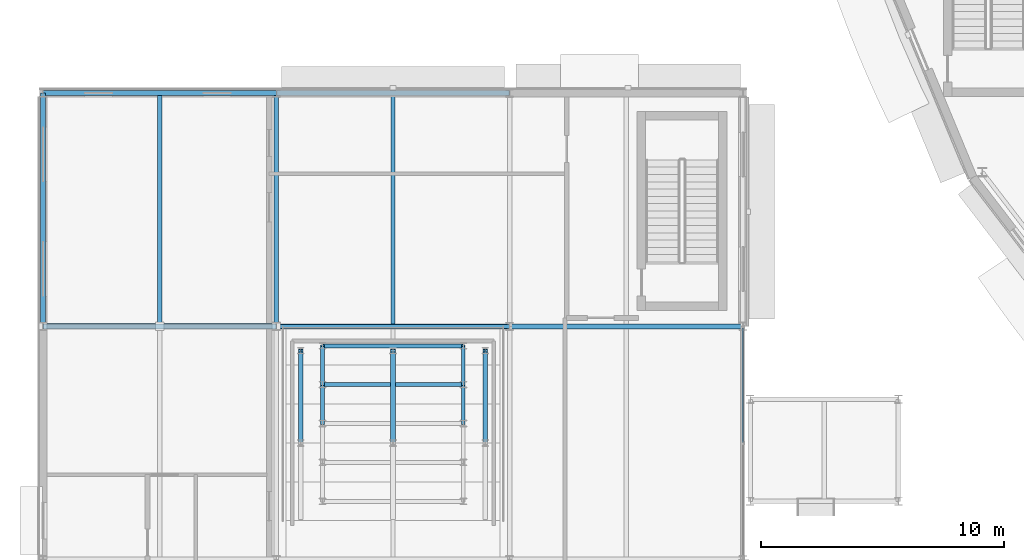
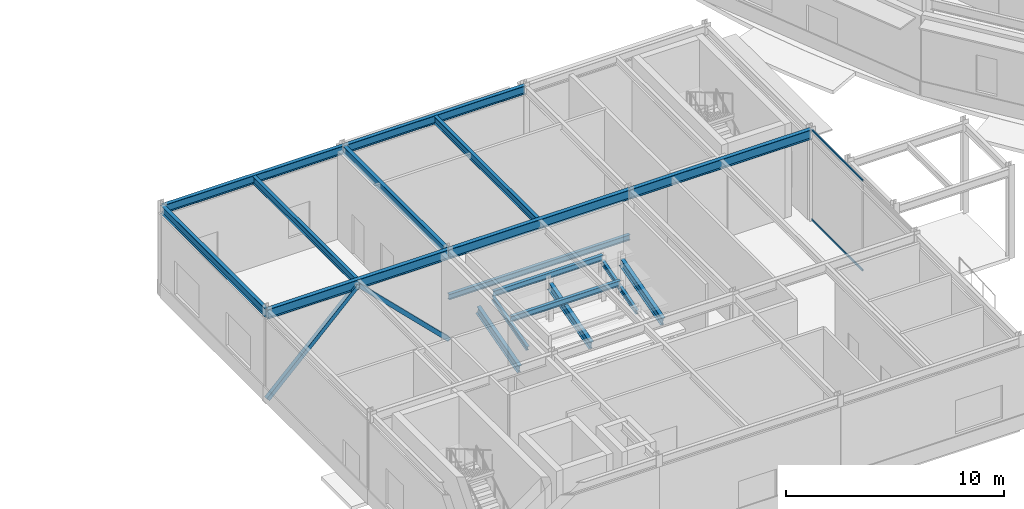
# One storey, part 23 of 168: 19 beams, 4 members, 1 element without a shape of its own.
"""IFC4 building model written with IfcOpenShell, lengths in metres."""

from ifc_helpers import new_model, si_unit, direction, frame, origin, origin_2d, place, context, subcontext, project, spatial, hollow_rectangle, i_section, extrude, material, material_profile, profile_set, type_object, element, aggregate, save


model = new_model("IFC4")

# Units and contexts
model_context = context("Model", 3, precision=1e-05, world=origin(), true_north=direction((0.0, 1.0)))
body_context = subcontext(model_context, "Body", "Model", "MODEL_VIEW")
ifc_project = project(units=[si_unit("LENGTHUNIT", "METRE"), si_unit("AREAUNIT", "SQUARE_METRE"), si_unit("VOLUMEUNIT", "CUBIC_METRE"), si_unit("PLANEANGLEUNIT", "RADIAN"), si_unit("MASSUNIT", "GRAM", prefix="KILO")], contexts=[model_context])

# Site, building, storey
site_placement = place(None, origin())
site = spatial("IfcSite", under=ifc_project, at=site_placement, CompositionType="ELEMENT")
building_placement = place(site_placement, origin())
building = spatial("IfcBuilding", under=site, at=building_placement, Name="Almandine Court Research Institute", CompositionType="ELEMENT")
storey_placement = place(building_placement, origin())
storey = spatial("IfcBuildingStorey", under=building, at=storey_placement, Name="L00", CompositionType="ELEMENT", Elevation=0.0)

# Beams
ifc_material_1 = material(Name="Steel ASTM A992 Grade 50", Category="steel")
ifc_material_profile_1 = material_profile(ifc_material_1, i_section(OverallWidth=0.18994140625, OverallDepth=0.45703125, WebThickness=0.009033203125, FlangeThickness=0.014892578125, at=origin_2d()), Name="W460x74")
ifc_profile_set_1 = profile_set([ifc_material_profile_1], Name="Steel ASTM A992 Grade 50")
beam_type_1 = type_object("IfcBeamType", Name="Beam-B-01", PredefinedType="BEAM", material=ifc_profile_set_1)
beam_1_placement = place(storey_placement, frame((15.60009765625, 25.199951171875, 4.841064453125), z_axis=(0.0, 1.0, 0.0), x_axis=(-1.0, 0.0, 0.0)))
element("IfcBeam", 1, at=beam_1_placement, inside=storey, type_object=beam_type_1, Name="L00 V1 Primary Y Girder", PredefinedType="BEAM", context=body_context, shape_type="SweptSolid", body=[
    extrude(i_section(OverallWidth=0.18994140625, OverallDepth=0.45703125, WebThickness=0.009033203125, FlangeThickness=0.014892578125, at=origin_2d()), origin(), (0.0, 0.0, 1.0), 9.60009765625),
])
ifc_material_profile_2 = material_profile(ifc_material_1, i_section(OverallWidth=0.178955078125, OverallDepth=0.409912109375, WebThickness=0.009033203125, FlangeThickness=0.013916015625, at=origin_2d()), Name="W410x67")
ifc_profile_set_2 = profile_set([ifc_material_profile_2], Name="Steel ASTM A992 Grade 50")
beam_type_2 = type_object("IfcBeamType", Name="Beam-B-02", PredefinedType="JOIST", material=ifc_profile_set_2)
for number, where, z_axis, x_axis, name in (
    (2, (10.800048828125, 25.302978515625, 4.864990234375), (0.0, 1.0, 0.0), (-1.0, 0.0, 0.0), "L00 V1 Composite Secondary Beam"),
    (3, (20.39990234375, 25.302978515625, 4.864990234375), (0.0, 1.0, 0.0), (-1.0, 0.0, 0.0), "L00 V1 Composite Secondary Beam"),
):
    element("IfcBeam", number, at=place(storey_placement, frame(where, z_axis=z_axis, x_axis=x_axis)), inside=storey, type_object=beam_type_2, Name=name, PredefinedType="JOIST", context=body_context, shape_type="SweptSolid", body=[
        extrude(i_section(OverallWidth=0.178955078125, OverallDepth=0.409912109375, WebThickness=0.009033203125, FlangeThickness=0.013916015625, at=origin_2d()), origin(), (0.0, 0.0, 1.0), 9.403076171875),
    ])
ifc_material_profile_3 = material_profile(ifc_material_1, i_section(OverallWidth=0.166015625, OverallDepth=0.31298828125, WebThickness=0.007080078125, FlangeThickness=0.010986328125, at=origin_2d()), Name="W310x45")
ifc_profile_set_3 = profile_set([ifc_material_profile_3], Name="Steel ASTM A992 Grade 50")
beam_type_3 = type_object("IfcBeamType", Name="Beam-B-04", PredefinedType="BEAM", material=ifc_profile_set_3)
for number, where, z_axis, x_axis, name in (
    (4, (17.5, 22.800048828125, 1.93310546875), (1.0, 0.0, 0.0), (0.0, 1.0, 0.0), "L00 Lecture Seating Tier Bearer 5"),
    (5, (17.5, 24.39990234375, 2.384033203125), (1.0, 0.0, 0.0), (0.0, 1.0, 0.0), "L00 Lecture Seating Tier Bearer 6"),
):
    element("IfcBeam", number, at=place(storey_placement, frame(where, z_axis=z_axis, x_axis=x_axis)), inside=storey, type_object=beam_type_3, Name=name, PredefinedType="BEAM", context=body_context, shape_type="SweptSolid", body=[
        extrude(i_section(OverallWidth=0.166015625, OverallDepth=0.31298828125, WebThickness=0.007080078125, FlangeThickness=0.010986328125, at=origin_2d()), origin(), (0.0, 0.0, 1.0), 5.800048828125),
    ])
beam_2_placement = place(storey_placement, frame((15.60009765625, 25.199951171875, 2.384033203125), z_axis=(1.0, 0.0, 0.0), x_axis=(0.0, 1.0, 0.0)))
element("IfcBeam", 6, at=beam_2_placement, inside=storey, type_object=beam_type_3, Name="L00 Lecture Seating Tier 6 Rear Bearer", PredefinedType="BEAM", context=body_context, shape_type="SweptSolid", body=[
    extrude(i_section(OverallWidth=0.166015625, OverallDepth=0.31298828125, WebThickness=0.007080078125, FlangeThickness=0.010986328125, at=origin_2d()), origin(), (0.0, 0.0, 1.0), 9.599853515625),
])
ifc_material_profile_4 = material_profile(ifc_material_1, i_section(OverallWidth=0.2109375, OverallDepth=0.5390625, WebThickness=0.011962890625, FlangeThickness=0.01904296875, at=origin_2d()), Name="W530x109")
ifc_profile_set_4 = profile_set([ifc_material_profile_4], Name="Steel ASTM A992 Grade 50")
beam_type_4 = type_object("IfcBeamType", Name="Beam-G-04", PredefinedType="BEAM", material=ifc_profile_set_4)
beam_3_placement = place(storey_placement, frame((6.0, 25.199951171875, 4.801025390625), z_axis=(1.0, 0.0, 0.0), x_axis=(0.0, 1.0, 0.0)))
element("IfcBeam", 7, at=beam_3_placement, inside=storey, type_object=beam_type_4, Name="L00 V1 Primary X Girder", PredefinedType="BEAM", context=body_context, shape_type="SweptSolid", body=[
    extrude(i_section(OverallWidth=0.2109375, OverallDepth=0.5390625, WebThickness=0.011962890625, FlangeThickness=0.01904296875, at=origin_2d()), origin(), (0.0, 0.0, 1.0), 9.60009765625),
])
beam_4_placement = place(storey_placement, frame((15.60009765625, 25.199951171875, 4.801025390625), z_axis=(1.0, 0.0, 0.0), x_axis=(0.0, 1.0, 0.0)))
element("IfcBeam", 8, at=beam_4_placement, inside=storey, type_object=beam_type_4, Name="L00 V1 Primary X Girder", PredefinedType="BEAM", context=body_context, shape_type="SweptSolid", body=[
    extrude(i_section(OverallWidth=0.2109375, OverallDepth=0.5390625, WebThickness=0.011962890625, FlangeThickness=0.01904296875, at=origin_2d()), origin(), (0.0, 0.0, 1.0), 9.599853515625),
])
beam_5_placement = place(storey_placement, frame((25.199951171875, 25.199951171875, 4.801025390625), z_axis=(1.0, 0.0, 0.0), x_axis=(0.0, 1.0, 0.0)))
element("IfcBeam", 9, at=beam_5_placement, inside=storey, type_object=beam_type_4, Name="L00 V1 Primary X Girder", PredefinedType="BEAM", context=body_context, shape_type="SweptSolid", body=[
    extrude(i_section(OverallWidth=0.2109375, OverallDepth=0.5390625, WebThickness=0.011962890625, FlangeThickness=0.01904296875, at=origin_2d()), origin(), (0.0, 0.0, 1.0), 9.60009765625),
])
ifc_material_profile_5 = material_profile(ifc_material_1, i_section(OverallWidth=0.193115234375, OverallDepth=0.466064453125, WebThickness=0.010986328125, FlangeThickness=0.01904296875, at=origin_2d()), Name="W460x97")
ifc_profile_set_5 = profile_set([ifc_material_profile_5], Name="Steel ASTM A992 Grade 50")
beam_type_5 = type_object("IfcBeamType", Name="Beam-G-06-E", PredefinedType="SPANDREL", material=ifc_profile_set_5)
beam_6_placement = place(storey_placement, frame((6.0, 34.800048828125, 4.8369140625), z_axis=(1.0, 0.0, 0.0), x_axis=(0.0, 1.0, 0.0)))
element("IfcBeam", 10, at=beam_6_placement, inside=storey, type_object=beam_type_5, Name="L00 V1 Primary X Girder", PredefinedType="SPANDREL", context=body_context, shape_type="SweptSolid", body=[
    extrude(i_section(OverallWidth=0.193115234375, OverallDepth=0.466064453125, WebThickness=0.010986328125, FlangeThickness=0.01904296875, at=origin_2d()), origin(), (0.0, 0.0, 1.0), 9.60009765625),
])
beam_7_placement = place(storey_placement, frame((15.60009765625, 34.800048828125, 4.8369140625), z_axis=(1.0, 0.0, 0.0), x_axis=(0.0, 1.0, 0.0)))
element("IfcBeam", 11, at=beam_7_placement, inside=storey, type_object=beam_type_5, Name="L00 V1 Primary X Girder", PredefinedType="SPANDREL", context=body_context, shape_type="SweptSolid", body=[
    extrude(i_section(OverallWidth=0.193115234375, OverallDepth=0.466064453125, WebThickness=0.010986328125, FlangeThickness=0.01904296875, at=origin_2d()), origin(), (0.0, 0.0, 1.0), 9.599853515625),
])
beam_8_placement = place(storey_placement, frame((6.0, 25.199951171875, 4.8369140625), z_axis=(0.0, 1.0, 0.0), x_axis=(-1.0, 0.0, 0.0)))
element("IfcBeam", 12, at=beam_8_placement, inside=storey, type_object=beam_type_5, Name="L00 V1 Primary Y Girder", PredefinedType="SPANDREL", context=body_context, shape_type="SweptSolid", body=[
    extrude(i_section(OverallWidth=0.193115234375, OverallDepth=0.466064453125, WebThickness=0.010986328125, FlangeThickness=0.01904296875, at=origin_2d()), origin(), (0.0, 0.0, 1.0), 9.60009765625),
])
ifc_material_profile_6 = material_profile(ifc_material_1, i_section(OverallWidth=0.14697265625, OverallDepth=0.261962890625, WebThickness=0.007080078125, FlangeThickness=0.010986328125, at=origin_2d()), Name="W250x39")
ifc_profile_set_6 = profile_set([ifc_material_profile_6], Name="Steel ASTM A992 Grade 50")
beam_type_6 = type_object("IfcBeamType", Name="Beam-L-01", PredefinedType="LINTEL", material=ifc_profile_set_6)
beam_9_placement = place(storey_placement, frame((17.5, 21.199951171875, 1.23388671875), z_axis=(0.0, 0.962624617572, 0.27083915087), x_axis=(-1.0, 0.0, 0.0)))
element("IfcBeam", 13, at=beam_9_placement, inside=storey, type_object=beam_type_6, Name="L00 Lecture Tier Stringer W-3", PredefinedType="LINTEL", context=body_context, shape_type="SweptSolid", body=[
    extrude(i_section(OverallWidth=0.14697265625, OverallDepth=0.261962890625, WebThickness=0.007080078125, FlangeThickness=0.010986328125, at=origin_2d()), origin(), (0.0, 0.0, 1.0), 1.662109375),
])
beam_10_placement = place(storey_placement, frame((17.5, 22.800048828125, 1.68408203125), z_axis=(0.0, 0.962652136636, 0.270741322725), x_axis=(-1.0, 0.0, 0.0)))
element("IfcBeam", 14, at=beam_10_placement, inside=storey, type_object=beam_type_6, Name="L00 Lecture Tier Stringer W-4", PredefinedType="LINTEL", context=body_context, shape_type="SweptSolid", body=[
    extrude(i_section(OverallWidth=0.14697265625, OverallDepth=0.261962890625, WebThickness=0.007080078125, FlangeThickness=0.010986328125, at=origin_2d()), origin(), (0.0, 0.0, 1.0), 1.661865234375),
])
beam_11_placement = place(storey_placement, frame((23.300048828125, 21.199951171875, 1.23388671875), z_axis=(0.0, 0.962624617572, 0.27083915087), x_axis=(-1.0, 0.0, 0.0)))
element("IfcBeam", 15, at=beam_11_placement, inside=storey, type_object=beam_type_6, Name="L00 Lecture Tier Stringer E-3", PredefinedType="LINTEL", context=body_context, shape_type="SweptSolid", body=[
    extrude(i_section(OverallWidth=0.14697265625, OverallDepth=0.261962890625, WebThickness=0.007080078125, FlangeThickness=0.010986328125, at=origin_2d()), origin(), (0.0, 0.0, 1.0), 1.662109375),
])
beam_12_placement = place(storey_placement, frame((23.300048828125, 22.800048828125, 1.68408203125), z_axis=(0.0, 0.962652136636, 0.270741322725), x_axis=(-1.0, 0.0, 0.0)))
element("IfcBeam", 16, at=beam_12_placement, inside=storey, type_object=beam_type_6, Name="L00 Lecture Tier Stringer E-4", PredefinedType="LINTEL", context=body_context, shape_type="SweptSolid", body=[
    extrude(i_section(OverallWidth=0.14697265625, OverallDepth=0.261962890625, WebThickness=0.007080078125, FlangeThickness=0.010986328125, at=origin_2d()), origin(), (0.0, 0.0, 1.0), 1.661865234375),
])
ifc_material_profile_7 = material_profile(ifc_material_1, i_section(OverallWidth=0.193115234375, OverallDepth=0.466064453125, WebThickness=0.010986328125, FlangeThickness=0.01904296875, at=origin_2d()), Name="W460x97")
ifc_profile_set_7 = profile_set([ifc_material_profile_7], Name="Steel ASTM A992 Grade 50")
beam_type_7 = type_object("IfcBeamType", Name="Beam-RK-01", PredefinedType="USERDEFINED", material=ifc_profile_set_7)
for number, where, z_axis, x_axis, name in (
    (17, (16.60009765625, 20.39990234375, 0.876953125), (0.0, 0.96387811986, 0.266343706619), (-1.0, 0.0, 0.0), "L00 Lecture Theatre Raker Girder 1-2"),
    (18, (20.39990234375, 20.39990234375, 0.876953125), (0.0, 0.96387811986, 0.266343706619), (-1.0, 0.0, 0.0), "L00 Lecture Theatre Raker Girder 2-2"),
    (19, (24.199951171875, 20.39990234375, 0.876953125), (0.0, 0.96387811986, 0.266343706619), (-1.0, 0.0, 0.0), "L00 Lecture Theatre Raker Girder 3-2"),
):
    element("IfcBeam", number, at=place(storey_placement, frame(where, z_axis=z_axis, x_axis=x_axis)), inside=storey, type_object=beam_type_7, Name=name, ObjectType="RAKER", PredefinedType="USERDEFINED", context=body_context, shape_type="SweptSolid", body=[
        extrude(i_section(OverallWidth=0.193115234375, OverallDepth=0.466064453125, WebThickness=0.010986328125, FlangeThickness=0.01904296875, at=origin_2d()), origin(), (0.0, 0.0, 1.0), 3.9423828125),
    ])

# Curtain wall, members
ifc_material_2 = material(Name="Unitised Curtain Wall Framing and Solar Glazing", Category="glass")
curtain_wall_type = type_object("IfcCurtainWallType", Name="CW-CWG-01", PredefinedType="USERDEFINED", material=ifc_material_2)
curtain_wall_placement = place(storey_placement, origin())
curtain_wall = element("IfcCurtainWall", 20, at=curtain_wall_placement, inside=storey, type_object=curtain_wall_type, Name="L00 Lecture Foyer Courtyard Curtain Wall", ObjectType="UNITISED GLAZING", PredefinedType="USERDEFINED")
ifc_material_3 = material(Name="Anodised Aluminium AW-6063-T6", Category="aluminium")
ifc_material_profile_8 = material_profile(ifc_material_3, hollow_rectangle(XDim=0.06005859375, YDim=0.110107421875, WallThickness=0.00390625, at=origin_2d()), Name="ALU RHS 60x110x4")
ifc_profile_set_8 = profile_set([ifc_material_profile_8], Name="Anodised Aluminium AW-6063-T6")
member_type_1 = type_object("IfcMemberType", Name="CWTrn-60x110", PredefinedType="NOTDEFINED", material=ifc_profile_set_8)
member_1_placement = place(storey_placement, frame((34.800048828125, 25.135986328125, 0.030029296875), z_axis=(0.0, -1.0, 0.0), x_axis=(1.0, 0.0, 0.0)))
member_1 = element("IfcMember", 21, at=member_1_placement, type_object=member_type_1, Name="CWG-01 transom 1.1", ObjectType="TRANSOM", PredefinedType="USERDEFINED", context=body_context, shape_type="SweptSolid", body=[
    extrude(hollow_rectangle(XDim=0.06005859375, YDim=0.110107421875, WallThickness=0.00390625, at=origin_2d()), origin(), (0.0, 0.0, 1.0), 4.7060546875),
])
member_2_placement = place(storey_placement, frame((34.800048828125, 25.135986328125, 5.0400390625), z_axis=(0.0, -1.0, 0.0), x_axis=(1.0, 0.0, 0.0)))
member_2 = element("IfcMember", 22, at=member_2_placement, type_object=member_type_1, Name="CWG-01 transom 1.2", ObjectType="TRANSOM", PredefinedType="USERDEFINED", context=body_context, shape_type="SweptSolid", body=[
    extrude(hollow_rectangle(XDim=0.06005859375, YDim=0.110107421875, WallThickness=0.00390625, at=origin_2d()), origin(), (0.0, 0.0, 1.0), 4.7060546875),
])
aggregate(curtain_wall, [member_1, member_2])

# Members
ifc_material_4 = material(Name="Steel ASTM A500 Grade C", Category="steel")
ifc_material_profile_9 = material_profile(ifc_material_4, hollow_rectangle(XDim=0.219970703125, YDim=0.219970703125, WallThickness=0.010009765625, at=origin_2d()), Name="HSS 220x220x10")
ifc_profile_set_9 = profile_set([ifc_material_profile_9], Name="Steel ASTM A500 Grade C")
member_type_2 = type_object("IfcMemberType", Name="Mem-BF-BR1", PredefinedType="BRACE", material=ifc_profile_set_9)
for number, where, z_axis, x_axis, name in (
    (23, (6.0, 25.199951171875, 0.02001953125), (0.712286444237, 0.0, 0.701888895308), (0.0, 1.0, 0.0), "L00 Seismic Chevron Brace V1-BF1 Left"),
    (24, (15.60009765625, 25.199951171875, 0.02001953125), (-0.712286444237, 0.0, 0.701888895308), (0.0, -1.0, 0.0), "L00 Seismic Chevron Brace V1-BF1 Right"),
):
    element("IfcMember", number, at=place(storey_placement, frame(where, z_axis=z_axis, x_axis=x_axis)), inside=storey, type_object=member_type_2, Name=name, PredefinedType="BRACE", context=body_context, shape_type="SweptSolid", body=[
        extrude(hollow_rectangle(XDim=0.219970703125, YDim=0.219970703125, WallThickness=0.010009765625, at=origin_2d()), origin(), (0.0, 0.0, 1.0), 6.739013671875),
    ])

save(model, "model.ifc")
